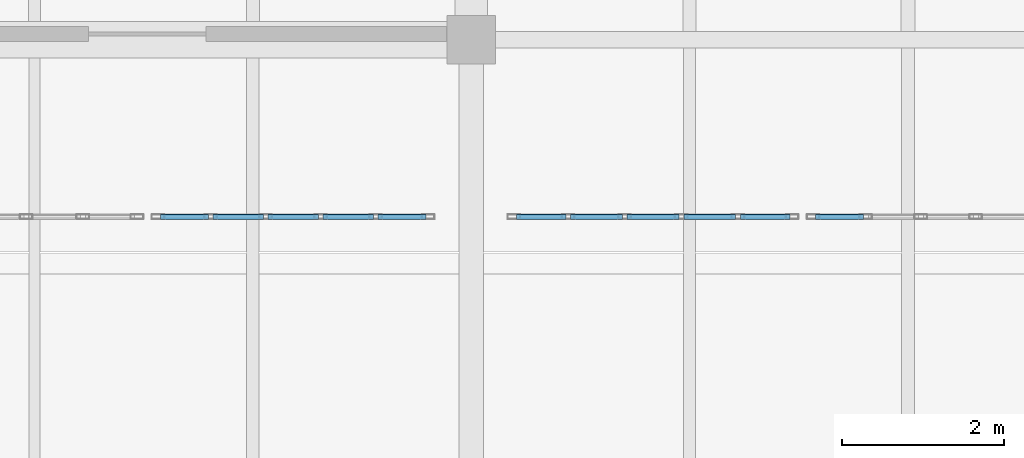
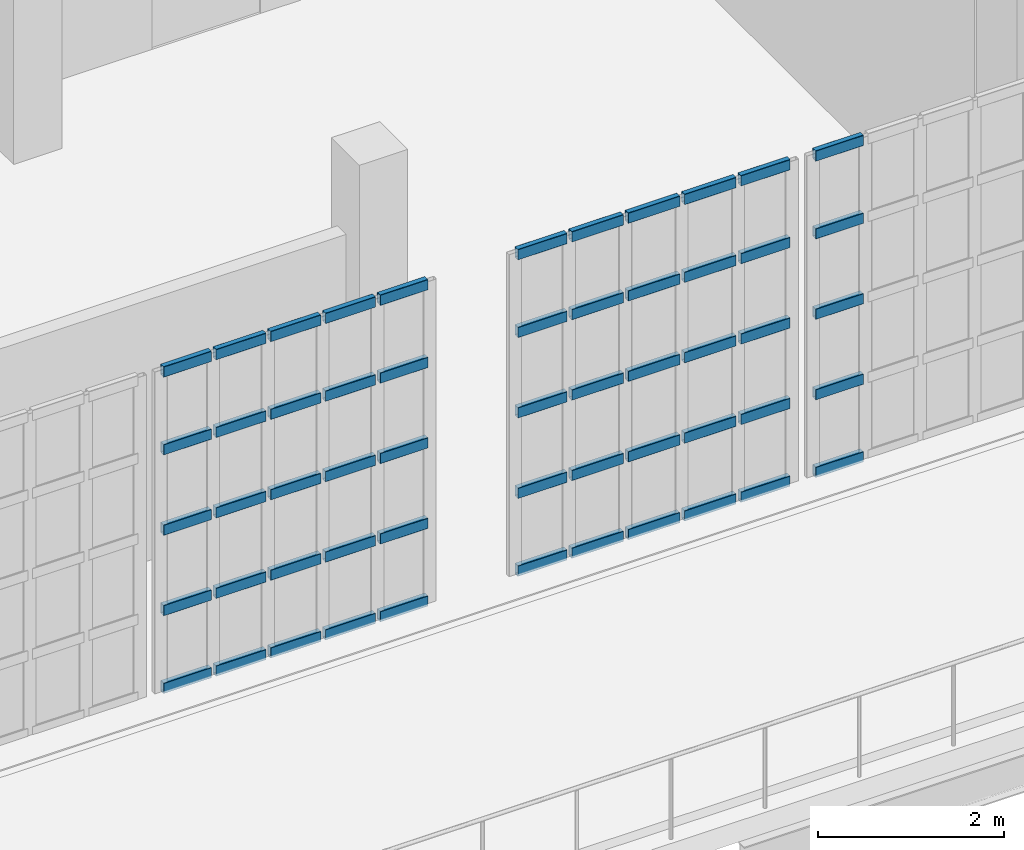
# One storey, part 32 of 56: 55 members, 3 elements without a shape of their own.
"""IFC4 building model written with IfcOpenShell, lengths in metres."""

from ifc_helpers import new_model, si_unit, direction, frame, origin, origin_2d, place, context, subcontext, project, spatial, hollow_rectangle, extrude, material, material_profile, profile_set, type_object, element, aggregate, save


model = new_model("IFC4")

# Units and contexts
model_context = context("Model", 3, precision=1e-05, world=origin(), true_north=direction((0.0, 1.0)))
body_context = subcontext(model_context, "Body", "Model", "MODEL_VIEW")
ifc_project = project(units=[si_unit("LENGTHUNIT", "METRE"), si_unit("AREAUNIT", "SQUARE_METRE"), si_unit("VOLUMEUNIT", "CUBIC_METRE"), si_unit("PLANEANGLEUNIT", "RADIAN"), si_unit("MASSUNIT", "GRAM", prefix="KILO")], contexts=[model_context])

# Site, building, storey
site_placement = place(None, origin())
site = spatial("IfcSite", under=ifc_project, at=site_placement, CompositionType="ELEMENT")
building_placement = place(site_placement, origin())
building = spatial("IfcBuilding", under=site, at=building_placement, Name="Kaelora Sail Theatre", CompositionType="ELEMENT")
storey_placement = place(building_placement, frame((0.0, 0.0, 14.699951171875)))
storey = spatial("IfcBuildingStorey", under=building, at=storey_placement, Name="L03", CompositionType="ELEMENT", Elevation=14.699951171875)

# Curtain wall, members
ifc_material_1 = material(Name="Anodised aluminium and solar-control low-E IGU", Category="aluminium")
curtain_wall_type = type_object("IfcCurtainWallType", Name="ARC-CW-CW-NWG", PredefinedType="NOTDEFINED", material=ifc_material_1)
curtain_wall_1_placement = place(storey_placement, origin())
curtain_wall_1 = element("IfcCurtainWall", 1, at=curtain_wall_1_placement, inside=storey, type_object=curtain_wall_type, Name="Glazed Foyer/Conservatory Curtain Wall NW4-S-L03-05", PredefinedType="NOTDEFINED")
ifc_material_2 = material(Name="Anodised aluminium 6063-T6", Category="aluminium")
ifc_material_profile = material_profile(ifc_material_2, hollow_rectangle(XDim=0.070068359375, YDim=0.139892578125, WallThickness=0.00390625, InnerFilletRadius=0.00390625, OuterFilletRadius=0.008056640625, at=origin_2d()), Name="ALU-TRAN 70x140x4")
ifc_profile_set = profile_set([ifc_material_profile], Name="Anodised aluminium 6063-T6")
member_type = type_object("IfcMemberType", Name="ARC-MEM-TR-140", PredefinedType="USERDEFINED", material=ifc_profile_set)
member_1_placement = place(storey_placement, frame((119.159912109375, 88.590087890625, 0.03515625), z_axis=(1.0, 0.0, 0.0), x_axis=(0.0, 1.0, 0.0)))
member_1 = element("IfcMember", 2, at=member_1_placement, type_object=member_type, Name="CW-NWG transom 1.1", ObjectType="TRANSOM", PredefinedType="USERDEFINED", context=body_context, shape_type="SweptSolid", body=[
    extrude(hollow_rectangle(XDim=0.070068359375, YDim=0.139892578125, WallThickness=0.00390625, InnerFilletRadius=0.00390625, OuterFilletRadius=0.008056640625, at=origin_2d()), origin(), (0.0, 0.0, 1.0), 0.590087890625),
])
member_2_placement = place(storey_placement, frame((119.159912109375, 88.590087890625, 1.05615234375), z_axis=(1.0, 0.0, 0.0), x_axis=(0.0, 1.0, 0.0)))
member_2 = element("IfcMember", 3, at=member_2_placement, type_object=member_type, Name="CW-NWG transom 1.2", ObjectType="TRANSOM", PredefinedType="USERDEFINED", context=body_context, shape_type="SweptSolid", body=[
    extrude(hollow_rectangle(XDim=0.070068359375, YDim=0.139892578125, WallThickness=0.00390625, InnerFilletRadius=0.00390625, OuterFilletRadius=0.008056640625, at=origin_2d()), origin(), (0.0, 0.0, 1.0), 0.590087890625),
])
member_3_placement = place(storey_placement, frame((119.159912109375, 88.590087890625, 2.112548828125), z_axis=(1.0, 0.0, 0.0), x_axis=(0.0, 1.0, 0.0)))
member_3 = element("IfcMember", 4, at=member_3_placement, type_object=member_type, Name="CW-NWG transom 1.3", ObjectType="TRANSOM", PredefinedType="USERDEFINED", context=body_context, shape_type="SweptSolid", body=[
    extrude(hollow_rectangle(XDim=0.070068359375, YDim=0.139892578125, WallThickness=0.00390625, InnerFilletRadius=0.00390625, OuterFilletRadius=0.008056640625, at=origin_2d()), origin(), (0.0, 0.0, 1.0), 0.590087890625),
])
member_4_placement = place(storey_placement, frame((119.159912109375, 88.590087890625, 3.168701171875), z_axis=(1.0, 0.0, 0.0), x_axis=(0.0, 1.0, 0.0)))
member_4 = element("IfcMember", 5, at=member_4_placement, type_object=member_type, Name="CW-NWG transom 1.4", ObjectType="TRANSOM", PredefinedType="USERDEFINED", context=body_context, shape_type="SweptSolid", body=[
    extrude(hollow_rectangle(XDim=0.070068359375, YDim=0.139892578125, WallThickness=0.00390625, InnerFilletRadius=0.00390625, OuterFilletRadius=0.008056640625, at=origin_2d()), origin(), (0.0, 0.0, 1.0), 0.590087890625),
])
member_5_placement = place(storey_placement, frame((119.159912109375, 88.590087890625, 4.18994140625), z_axis=(1.0, 0.0, 0.0), x_axis=(0.0, 1.0, 0.0)))
member_5 = element("IfcMember", 6, at=member_5_placement, type_object=member_type, Name="CW-NWG transom 1.5", ObjectType="TRANSOM", PredefinedType="USERDEFINED", context=body_context, shape_type="SweptSolid", body=[
    extrude(hollow_rectangle(XDim=0.070068359375, YDim=0.139892578125, WallThickness=0.00390625, InnerFilletRadius=0.00390625, OuterFilletRadius=0.008056640625, at=origin_2d()), origin(), (0.0, 0.0, 1.0), 0.590087890625),
])
member_6_placement = place(storey_placement, frame((119.81005859375, 88.590087890625, 0.03515625), z_axis=(1.0, 0.0, 0.0), x_axis=(0.0, 1.0, 0.0)))
member_6 = element("IfcMember", 7, at=member_6_placement, type_object=member_type, Name="CW-NWG transom 2.1", ObjectType="TRANSOM", PredefinedType="USERDEFINED", context=body_context, shape_type="SweptSolid", body=[
    extrude(hollow_rectangle(XDim=0.070068359375, YDim=0.139892578125, WallThickness=0.00390625, InnerFilletRadius=0.00390625, OuterFilletRadius=0.008056640625, at=origin_2d()), origin(), (0.0, 0.0, 1.0), 0.619873046875),
])
member_7_placement = place(storey_placement, frame((119.81005859375, 88.590087890625, 1.05615234375), z_axis=(1.0, 0.0, 0.0), x_axis=(0.0, 1.0, 0.0)))
member_7 = element("IfcMember", 8, at=member_7_placement, type_object=member_type, Name="CW-NWG transom 2.2", ObjectType="TRANSOM", PredefinedType="USERDEFINED", context=body_context, shape_type="SweptSolid", body=[
    extrude(hollow_rectangle(XDim=0.070068359375, YDim=0.139892578125, WallThickness=0.00390625, InnerFilletRadius=0.00390625, OuterFilletRadius=0.008056640625, at=origin_2d()), origin(), (0.0, 0.0, 1.0), 0.619873046875),
])
member_8_placement = place(storey_placement, frame((119.81005859375, 88.590087890625, 2.112548828125), z_axis=(1.0, 0.0, 0.0), x_axis=(0.0, 1.0, 0.0)))
member_8 = element("IfcMember", 9, at=member_8_placement, type_object=member_type, Name="CW-NWG transom 2.3", ObjectType="TRANSOM", PredefinedType="USERDEFINED", context=body_context, shape_type="SweptSolid", body=[
    extrude(hollow_rectangle(XDim=0.070068359375, YDim=0.139892578125, WallThickness=0.00390625, InnerFilletRadius=0.00390625, OuterFilletRadius=0.008056640625, at=origin_2d()), origin(), (0.0, 0.0, 1.0), 0.619873046875),
])
member_9_placement = place(storey_placement, frame((119.81005859375, 88.590087890625, 3.168701171875), z_axis=(1.0, 0.0, 0.0), x_axis=(0.0, 1.0, 0.0)))
member_9 = element("IfcMember", 10, at=member_9_placement, type_object=member_type, Name="CW-NWG transom 2.4", ObjectType="TRANSOM", PredefinedType="USERDEFINED", context=body_context, shape_type="SweptSolid", body=[
    extrude(hollow_rectangle(XDim=0.070068359375, YDim=0.139892578125, WallThickness=0.00390625, InnerFilletRadius=0.00390625, OuterFilletRadius=0.008056640625, at=origin_2d()), origin(), (0.0, 0.0, 1.0), 0.619873046875),
])
member_10_placement = place(storey_placement, frame((119.81005859375, 88.590087890625, 4.18994140625), z_axis=(1.0, 0.0, 0.0), x_axis=(0.0, 1.0, 0.0)))
member_10 = element("IfcMember", 11, at=member_10_placement, type_object=member_type, Name="CW-NWG transom 2.5", ObjectType="TRANSOM", PredefinedType="USERDEFINED", context=body_context, shape_type="SweptSolid", body=[
    extrude(hollow_rectangle(XDim=0.070068359375, YDim=0.139892578125, WallThickness=0.00390625, InnerFilletRadius=0.00390625, OuterFilletRadius=0.008056640625, at=origin_2d()), origin(), (0.0, 0.0, 1.0), 0.619873046875),
])
member_11_placement = place(storey_placement, frame((120.489990234375, 88.590087890625, 0.03515625), z_axis=(1.0, 0.0, 0.0), x_axis=(0.0, 1.0, 0.0)))
member_11 = element("IfcMember", 12, at=member_11_placement, type_object=member_type, Name="CW-NWG transom 3.1", ObjectType="TRANSOM", PredefinedType="USERDEFINED", context=body_context, shape_type="SweptSolid", body=[
    extrude(hollow_rectangle(XDim=0.070068359375, YDim=0.139892578125, WallThickness=0.00390625, InnerFilletRadius=0.00390625, OuterFilletRadius=0.008056640625, at=origin_2d()), origin(), (0.0, 0.0, 1.0), 0.6201171875),
])
member_12_placement = place(storey_placement, frame((120.489990234375, 88.590087890625, 1.05615234375), z_axis=(1.0, 0.0, 0.0), x_axis=(0.0, 1.0, 0.0)))
member_12 = element("IfcMember", 13, at=member_12_placement, type_object=member_type, Name="CW-NWG transom 3.2", ObjectType="TRANSOM", PredefinedType="USERDEFINED", context=body_context, shape_type="SweptSolid", body=[
    extrude(hollow_rectangle(XDim=0.070068359375, YDim=0.139892578125, WallThickness=0.00390625, InnerFilletRadius=0.00390625, OuterFilletRadius=0.008056640625, at=origin_2d()), origin(), (0.0, 0.0, 1.0), 0.6201171875),
])
member_13_placement = place(storey_placement, frame((120.489990234375, 88.590087890625, 2.112548828125), z_axis=(1.0, 0.0, 0.0), x_axis=(0.0, 1.0, 0.0)))
member_13 = element("IfcMember", 14, at=member_13_placement, type_object=member_type, Name="CW-NWG transom 3.3", ObjectType="TRANSOM", PredefinedType="USERDEFINED", context=body_context, shape_type="SweptSolid", body=[
    extrude(hollow_rectangle(XDim=0.070068359375, YDim=0.139892578125, WallThickness=0.00390625, InnerFilletRadius=0.00390625, OuterFilletRadius=0.008056640625, at=origin_2d()), origin(), (0.0, 0.0, 1.0), 0.6201171875),
])
member_14_placement = place(storey_placement, frame((120.489990234375, 88.590087890625, 3.168701171875), z_axis=(1.0, 0.0, 0.0), x_axis=(0.0, 1.0, 0.0)))
member_14 = element("IfcMember", 15, at=member_14_placement, type_object=member_type, Name="CW-NWG transom 3.4", ObjectType="TRANSOM", PredefinedType="USERDEFINED", context=body_context, shape_type="SweptSolid", body=[
    extrude(hollow_rectangle(XDim=0.070068359375, YDim=0.139892578125, WallThickness=0.00390625, InnerFilletRadius=0.00390625, OuterFilletRadius=0.008056640625, at=origin_2d()), origin(), (0.0, 0.0, 1.0), 0.6201171875),
])
member_15_placement = place(storey_placement, frame((120.489990234375, 88.590087890625, 4.18994140625), z_axis=(1.0, 0.0, 0.0), x_axis=(0.0, 1.0, 0.0)))
member_15 = element("IfcMember", 16, at=member_15_placement, type_object=member_type, Name="CW-NWG transom 3.5", ObjectType="TRANSOM", PredefinedType="USERDEFINED", context=body_context, shape_type="SweptSolid", body=[
    extrude(hollow_rectangle(XDim=0.070068359375, YDim=0.139892578125, WallThickness=0.00390625, InnerFilletRadius=0.00390625, OuterFilletRadius=0.008056640625, at=origin_2d()), origin(), (0.0, 0.0, 1.0), 0.6201171875),
])
member_16_placement = place(storey_placement, frame((121.169921875, 88.590087890625, 0.03515625), z_axis=(1.0, 0.0, 0.0), x_axis=(0.0, 1.0, 0.0)))
member_16 = element("IfcMember", 17, at=member_16_placement, type_object=member_type, Name="CW-NWG transom 4.1", ObjectType="TRANSOM", PredefinedType="USERDEFINED", context=body_context, shape_type="SweptSolid", body=[
    extrude(hollow_rectangle(XDim=0.070068359375, YDim=0.139892578125, WallThickness=0.00390625, InnerFilletRadius=0.00390625, OuterFilletRadius=0.008056640625, at=origin_2d()), origin(), (0.0, 0.0, 1.0), 0.6201171875),
])
member_17_placement = place(storey_placement, frame((121.169921875, 88.590087890625, 1.05615234375), z_axis=(1.0, 0.0, 0.0), x_axis=(0.0, 1.0, 0.0)))
member_17 = element("IfcMember", 18, at=member_17_placement, type_object=member_type, Name="CW-NWG transom 4.2", ObjectType="TRANSOM", PredefinedType="USERDEFINED", context=body_context, shape_type="SweptSolid", body=[
    extrude(hollow_rectangle(XDim=0.070068359375, YDim=0.139892578125, WallThickness=0.00390625, InnerFilletRadius=0.00390625, OuterFilletRadius=0.008056640625, at=origin_2d()), origin(), (0.0, 0.0, 1.0), 0.6201171875),
])
member_18_placement = place(storey_placement, frame((121.169921875, 88.590087890625, 2.112548828125), z_axis=(1.0, 0.0, 0.0), x_axis=(0.0, 1.0, 0.0)))
member_18 = element("IfcMember", 19, at=member_18_placement, type_object=member_type, Name="CW-NWG transom 4.3", ObjectType="TRANSOM", PredefinedType="USERDEFINED", context=body_context, shape_type="SweptSolid", body=[
    extrude(hollow_rectangle(XDim=0.070068359375, YDim=0.139892578125, WallThickness=0.00390625, InnerFilletRadius=0.00390625, OuterFilletRadius=0.008056640625, at=origin_2d()), origin(), (0.0, 0.0, 1.0), 0.6201171875),
])
member_19_placement = place(storey_placement, frame((121.169921875, 88.590087890625, 3.168701171875), z_axis=(1.0, 0.0, 0.0), x_axis=(0.0, 1.0, 0.0)))
member_19 = element("IfcMember", 20, at=member_19_placement, type_object=member_type, Name="CW-NWG transom 4.4", ObjectType="TRANSOM", PredefinedType="USERDEFINED", context=body_context, shape_type="SweptSolid", body=[
    extrude(hollow_rectangle(XDim=0.070068359375, YDim=0.139892578125, WallThickness=0.00390625, InnerFilletRadius=0.00390625, OuterFilletRadius=0.008056640625, at=origin_2d()), origin(), (0.0, 0.0, 1.0), 0.6201171875),
])
member_20_placement = place(storey_placement, frame((121.169921875, 88.590087890625, 4.18994140625), z_axis=(1.0, 0.0, 0.0), x_axis=(0.0, 1.0, 0.0)))
member_20 = element("IfcMember", 21, at=member_20_placement, type_object=member_type, Name="CW-NWG transom 4.5", ObjectType="TRANSOM", PredefinedType="USERDEFINED", context=body_context, shape_type="SweptSolid", body=[
    extrude(hollow_rectangle(XDim=0.070068359375, YDim=0.139892578125, WallThickness=0.00390625, InnerFilletRadius=0.00390625, OuterFilletRadius=0.008056640625, at=origin_2d()), origin(), (0.0, 0.0, 1.0), 0.6201171875),
])
member_21_placement = place(storey_placement, frame((121.85009765625, 88.590087890625, 0.03515625), z_axis=(1.0, 0.0, 0.0), x_axis=(0.0, 1.0, 0.0)))
member_21 = element("IfcMember", 22, at=member_21_placement, type_object=member_type, Name="CW-NWG transom 5.1", ObjectType="TRANSOM", PredefinedType="USERDEFINED", context=body_context, shape_type="SweptSolid", body=[
    extrude(hollow_rectangle(XDim=0.070068359375, YDim=0.139892578125, WallThickness=0.00390625, InnerFilletRadius=0.00390625, OuterFilletRadius=0.008056640625, at=origin_2d()), origin(), (0.0, 0.0, 1.0), 0.58984375),
])
member_22_placement = place(storey_placement, frame((121.85009765625, 88.590087890625, 1.05615234375), z_axis=(1.0, 0.0, 0.0), x_axis=(0.0, 1.0, 0.0)))
member_22 = element("IfcMember", 23, at=member_22_placement, type_object=member_type, Name="CW-NWG transom 5.2", ObjectType="TRANSOM", PredefinedType="USERDEFINED", context=body_context, shape_type="SweptSolid", body=[
    extrude(hollow_rectangle(XDim=0.070068359375, YDim=0.139892578125, WallThickness=0.00390625, InnerFilletRadius=0.00390625, OuterFilletRadius=0.008056640625, at=origin_2d()), origin(), (0.0, 0.0, 1.0), 0.58984375),
])
member_23_placement = place(storey_placement, frame((121.85009765625, 88.590087890625, 2.112548828125), z_axis=(1.0, 0.0, 0.0), x_axis=(0.0, 1.0, 0.0)))
member_23 = element("IfcMember", 24, at=member_23_placement, type_object=member_type, Name="CW-NWG transom 5.3", ObjectType="TRANSOM", PredefinedType="USERDEFINED", context=body_context, shape_type="SweptSolid", body=[
    extrude(hollow_rectangle(XDim=0.070068359375, YDim=0.139892578125, WallThickness=0.00390625, InnerFilletRadius=0.00390625, OuterFilletRadius=0.008056640625, at=origin_2d()), origin(), (0.0, 0.0, 1.0), 0.58984375),
])
member_24_placement = place(storey_placement, frame((121.85009765625, 88.590087890625, 3.168701171875), z_axis=(1.0, 0.0, 0.0), x_axis=(0.0, 1.0, 0.0)))
member_24 = element("IfcMember", 25, at=member_24_placement, type_object=member_type, Name="CW-NWG transom 5.4", ObjectType="TRANSOM", PredefinedType="USERDEFINED", context=body_context, shape_type="SweptSolid", body=[
    extrude(hollow_rectangle(XDim=0.070068359375, YDim=0.139892578125, WallThickness=0.00390625, InnerFilletRadius=0.00390625, OuterFilletRadius=0.008056640625, at=origin_2d()), origin(), (0.0, 0.0, 1.0), 0.58984375),
])
member_25_placement = place(storey_placement, frame((121.85009765625, 88.590087890625, 4.18994140625), z_axis=(1.0, 0.0, 0.0), x_axis=(0.0, 1.0, 0.0)))
member_25 = element("IfcMember", 26, at=member_25_placement, type_object=member_type, Name="CW-NWG transom 5.5", ObjectType="TRANSOM", PredefinedType="USERDEFINED", context=body_context, shape_type="SweptSolid", body=[
    extrude(hollow_rectangle(XDim=0.070068359375, YDim=0.139892578125, WallThickness=0.00390625, InnerFilletRadius=0.00390625, OuterFilletRadius=0.008056640625, at=origin_2d()), origin(), (0.0, 0.0, 1.0), 0.58984375),
])
aggregate(curtain_wall_1, [member_1, member_2, member_3, member_4, member_5, member_6, member_7, member_8, member_9, member_10, member_11, member_12, member_13, member_14, member_15, member_16, member_17, member_18, member_19, member_20, member_21, member_22, member_23, member_24, member_25])

curtain_wall_2_placement = place(storey_placement, origin())
curtain_wall_2 = element("IfcCurtainWall", 27, at=curtain_wall_2_placement, inside=storey, type_object=curtain_wall_type, Name="Glazed Foyer/Conservatory Curtain Wall NW4-S-L03-06", PredefinedType="NOTDEFINED")
member_26_placement = place(storey_placement, frame((123.56005859375, 88.590087890625, 0.03515625), z_axis=(1.0, 0.0, 0.0), x_axis=(0.0, 1.0, 0.0)))
member_26 = element("IfcMember", 28, at=member_26_placement, type_object=member_type, Name="CW-NWG transom 1.1", ObjectType="TRANSOM", PredefinedType="USERDEFINED", context=body_context, shape_type="SweptSolid", body=[
    extrude(hollow_rectangle(XDim=0.070068359375, YDim=0.139892578125, WallThickness=0.00390625, InnerFilletRadius=0.00390625, OuterFilletRadius=0.008056640625, at=origin_2d()), origin(), (0.0, 0.0, 1.0), 0.60986328125),
])
member_27_placement = place(storey_placement, frame((123.56005859375, 88.590087890625, 1.05615234375), z_axis=(1.0, 0.0, 0.0), x_axis=(0.0, 1.0, 0.0)))
member_27 = element("IfcMember", 29, at=member_27_placement, type_object=member_type, Name="CW-NWG transom 1.2", ObjectType="TRANSOM", PredefinedType="USERDEFINED", context=body_context, shape_type="SweptSolid", body=[
    extrude(hollow_rectangle(XDim=0.070068359375, YDim=0.139892578125, WallThickness=0.00390625, InnerFilletRadius=0.00390625, OuterFilletRadius=0.008056640625, at=origin_2d()), origin(), (0.0, 0.0, 1.0), 0.60986328125),
])
member_28_placement = place(storey_placement, frame((123.56005859375, 88.590087890625, 2.112548828125), z_axis=(1.0, 0.0, 0.0), x_axis=(0.0, 1.0, 0.0)))
member_28 = element("IfcMember", 30, at=member_28_placement, type_object=member_type, Name="CW-NWG transom 1.3", ObjectType="TRANSOM", PredefinedType="USERDEFINED", context=body_context, shape_type="SweptSolid", body=[
    extrude(hollow_rectangle(XDim=0.070068359375, YDim=0.139892578125, WallThickness=0.00390625, InnerFilletRadius=0.00390625, OuterFilletRadius=0.008056640625, at=origin_2d()), origin(), (0.0, 0.0, 1.0), 0.60986328125),
])
member_29_placement = place(storey_placement, frame((123.56005859375, 88.590087890625, 3.168701171875), z_axis=(1.0, 0.0, 0.0), x_axis=(0.0, 1.0, 0.0)))
member_29 = element("IfcMember", 31, at=member_29_placement, type_object=member_type, Name="CW-NWG transom 1.4", ObjectType="TRANSOM", PredefinedType="USERDEFINED", context=body_context, shape_type="SweptSolid", body=[
    extrude(hollow_rectangle(XDim=0.070068359375, YDim=0.139892578125, WallThickness=0.00390625, InnerFilletRadius=0.00390625, OuterFilletRadius=0.008056640625, at=origin_2d()), origin(), (0.0, 0.0, 1.0), 0.60986328125),
])
member_30_placement = place(storey_placement, frame((123.56005859375, 88.590087890625, 4.18994140625), z_axis=(1.0, 0.0, 0.0), x_axis=(0.0, 1.0, 0.0)))
member_30 = element("IfcMember", 32, at=member_30_placement, type_object=member_type, Name="CW-NWG transom 1.5", ObjectType="TRANSOM", PredefinedType="USERDEFINED", context=body_context, shape_type="SweptSolid", body=[
    extrude(hollow_rectangle(XDim=0.070068359375, YDim=0.139892578125, WallThickness=0.00390625, InnerFilletRadius=0.00390625, OuterFilletRadius=0.008056640625, at=origin_2d()), origin(), (0.0, 0.0, 1.0), 0.60986328125),
])
member_31_placement = place(storey_placement, frame((124.22998046875, 88.590087890625, 0.03515625), z_axis=(1.0, 0.0, 0.0), x_axis=(0.0, 1.0, 0.0)))
member_31 = element("IfcMember", 33, at=member_31_placement, type_object=member_type, Name="CW-NWG transom 2.1", ObjectType="TRANSOM", PredefinedType="USERDEFINED", context=body_context, shape_type="SweptSolid", body=[
    extrude(hollow_rectangle(XDim=0.070068359375, YDim=0.139892578125, WallThickness=0.00390625, InnerFilletRadius=0.00390625, OuterFilletRadius=0.008056640625, at=origin_2d()), origin(), (0.0, 0.0, 1.0), 0.64013671875),
])
member_32_placement = place(storey_placement, frame((124.22998046875, 88.590087890625, 1.05615234375), z_axis=(1.0, 0.0, 0.0), x_axis=(0.0, 1.0, 0.0)))
member_32 = element("IfcMember", 34, at=member_32_placement, type_object=member_type, Name="CW-NWG transom 2.2", ObjectType="TRANSOM", PredefinedType="USERDEFINED", context=body_context, shape_type="SweptSolid", body=[
    extrude(hollow_rectangle(XDim=0.070068359375, YDim=0.139892578125, WallThickness=0.00390625, InnerFilletRadius=0.00390625, OuterFilletRadius=0.008056640625, at=origin_2d()), origin(), (0.0, 0.0, 1.0), 0.64013671875),
])
member_33_placement = place(storey_placement, frame((124.22998046875, 88.590087890625, 2.112548828125), z_axis=(1.0, 0.0, 0.0), x_axis=(0.0, 1.0, 0.0)))
member_33 = element("IfcMember", 35, at=member_33_placement, type_object=member_type, Name="CW-NWG transom 2.3", ObjectType="TRANSOM", PredefinedType="USERDEFINED", context=body_context, shape_type="SweptSolid", body=[
    extrude(hollow_rectangle(XDim=0.070068359375, YDim=0.139892578125, WallThickness=0.00390625, InnerFilletRadius=0.00390625, OuterFilletRadius=0.008056640625, at=origin_2d()), origin(), (0.0, 0.0, 1.0), 0.64013671875),
])
member_34_placement = place(storey_placement, frame((124.22998046875, 88.590087890625, 3.168701171875), z_axis=(1.0, 0.0, 0.0), x_axis=(0.0, 1.0, 0.0)))
member_34 = element("IfcMember", 36, at=member_34_placement, type_object=member_type, Name="CW-NWG transom 2.4", ObjectType="TRANSOM", PredefinedType="USERDEFINED", context=body_context, shape_type="SweptSolid", body=[
    extrude(hollow_rectangle(XDim=0.070068359375, YDim=0.139892578125, WallThickness=0.00390625, InnerFilletRadius=0.00390625, OuterFilletRadius=0.008056640625, at=origin_2d()), origin(), (0.0, 0.0, 1.0), 0.64013671875),
])
member_35_placement = place(storey_placement, frame((124.22998046875, 88.590087890625, 4.18994140625), z_axis=(1.0, 0.0, 0.0), x_axis=(0.0, 1.0, 0.0)))
member_35 = element("IfcMember", 37, at=member_35_placement, type_object=member_type, Name="CW-NWG transom 2.5", ObjectType="TRANSOM", PredefinedType="USERDEFINED", context=body_context, shape_type="SweptSolid", body=[
    extrude(hollow_rectangle(XDim=0.070068359375, YDim=0.139892578125, WallThickness=0.00390625, InnerFilletRadius=0.00390625, OuterFilletRadius=0.008056640625, at=origin_2d()), origin(), (0.0, 0.0, 1.0), 0.64013671875),
])
member_36_placement = place(storey_placement, frame((124.929931640625, 88.590087890625, 0.03515625), z_axis=(1.0, 0.0, 0.0), x_axis=(0.0, 1.0, 0.0)))
member_36 = element("IfcMember", 38, at=member_36_placement, type_object=member_type, Name="CW-NWG transom 3.1", ObjectType="TRANSOM", PredefinedType="USERDEFINED", context=body_context, shape_type="SweptSolid", body=[
    extrude(hollow_rectangle(XDim=0.070068359375, YDim=0.139892578125, WallThickness=0.00390625, InnerFilletRadius=0.00390625, OuterFilletRadius=0.008056640625, at=origin_2d()), origin(), (0.0, 0.0, 1.0), 0.64013671875),
])
member_37_placement = place(storey_placement, frame((124.929931640625, 88.590087890625, 1.05615234375), z_axis=(1.0, 0.0, 0.0), x_axis=(0.0, 1.0, 0.0)))
member_37 = element("IfcMember", 39, at=member_37_placement, type_object=member_type, Name="CW-NWG transom 3.2", ObjectType="TRANSOM", PredefinedType="USERDEFINED", context=body_context, shape_type="SweptSolid", body=[
    extrude(hollow_rectangle(XDim=0.070068359375, YDim=0.139892578125, WallThickness=0.00390625, InnerFilletRadius=0.00390625, OuterFilletRadius=0.008056640625, at=origin_2d()), origin(), (0.0, 0.0, 1.0), 0.64013671875),
])
member_38_placement = place(storey_placement, frame((124.929931640625, 88.590087890625, 2.112548828125), z_axis=(1.0, 0.0, 0.0), x_axis=(0.0, 1.0, 0.0)))
member_38 = element("IfcMember", 40, at=member_38_placement, type_object=member_type, Name="CW-NWG transom 3.3", ObjectType="TRANSOM", PredefinedType="USERDEFINED", context=body_context, shape_type="SweptSolid", body=[
    extrude(hollow_rectangle(XDim=0.070068359375, YDim=0.139892578125, WallThickness=0.00390625, InnerFilletRadius=0.00390625, OuterFilletRadius=0.008056640625, at=origin_2d()), origin(), (0.0, 0.0, 1.0), 0.64013671875),
])
member_39_placement = place(storey_placement, frame((124.929931640625, 88.590087890625, 3.168701171875), z_axis=(1.0, 0.0, 0.0), x_axis=(0.0, 1.0, 0.0)))
member_39 = element("IfcMember", 41, at=member_39_placement, type_object=member_type, Name="CW-NWG transom 3.4", ObjectType="TRANSOM", PredefinedType="USERDEFINED", context=body_context, shape_type="SweptSolid", body=[
    extrude(hollow_rectangle(XDim=0.070068359375, YDim=0.139892578125, WallThickness=0.00390625, InnerFilletRadius=0.00390625, OuterFilletRadius=0.008056640625, at=origin_2d()), origin(), (0.0, 0.0, 1.0), 0.64013671875),
])
member_40_placement = place(storey_placement, frame((124.929931640625, 88.590087890625, 4.18994140625), z_axis=(1.0, 0.0, 0.0), x_axis=(0.0, 1.0, 0.0)))
member_40 = element("IfcMember", 42, at=member_40_placement, type_object=member_type, Name="CW-NWG transom 3.5", ObjectType="TRANSOM", PredefinedType="USERDEFINED", context=body_context, shape_type="SweptSolid", body=[
    extrude(hollow_rectangle(XDim=0.070068359375, YDim=0.139892578125, WallThickness=0.00390625, InnerFilletRadius=0.00390625, OuterFilletRadius=0.008056640625, at=origin_2d()), origin(), (0.0, 0.0, 1.0), 0.64013671875),
])
member_41_placement = place(storey_placement, frame((125.6298828125, 88.590087890625, 0.03515625), z_axis=(1.0, 0.0, 0.0), x_axis=(0.0, 1.0, 0.0)))
member_41 = element("IfcMember", 43, at=member_41_placement, type_object=member_type, Name="CW-NWG transom 4.1", ObjectType="TRANSOM", PredefinedType="USERDEFINED", context=body_context, shape_type="SweptSolid", body=[
    extrude(hollow_rectangle(XDim=0.070068359375, YDim=0.139892578125, WallThickness=0.00390625, InnerFilletRadius=0.00390625, OuterFilletRadius=0.008056640625, at=origin_2d()), origin(), (0.0, 0.0, 1.0), 0.64013671875),
])
member_42_placement = place(storey_placement, frame((125.6298828125, 88.590087890625, 1.05615234375), z_axis=(1.0, 0.0, 0.0), x_axis=(0.0, 1.0, 0.0)))
member_42 = element("IfcMember", 44, at=member_42_placement, type_object=member_type, Name="CW-NWG transom 4.2", ObjectType="TRANSOM", PredefinedType="USERDEFINED", context=body_context, shape_type="SweptSolid", body=[
    extrude(hollow_rectangle(XDim=0.070068359375, YDim=0.139892578125, WallThickness=0.00390625, InnerFilletRadius=0.00390625, OuterFilletRadius=0.008056640625, at=origin_2d()), origin(), (0.0, 0.0, 1.0), 0.64013671875),
])
member_43_placement = place(storey_placement, frame((125.6298828125, 88.590087890625, 2.112548828125), z_axis=(1.0, 0.0, 0.0), x_axis=(0.0, 1.0, 0.0)))
member_43 = element("IfcMember", 45, at=member_43_placement, type_object=member_type, Name="CW-NWG transom 4.3", ObjectType="TRANSOM", PredefinedType="USERDEFINED", context=body_context, shape_type="SweptSolid", body=[
    extrude(hollow_rectangle(XDim=0.070068359375, YDim=0.139892578125, WallThickness=0.00390625, InnerFilletRadius=0.00390625, OuterFilletRadius=0.008056640625, at=origin_2d()), origin(), (0.0, 0.0, 1.0), 0.64013671875),
])
member_44_placement = place(storey_placement, frame((125.6298828125, 88.590087890625, 3.168701171875), z_axis=(1.0, 0.0, 0.0), x_axis=(0.0, 1.0, 0.0)))
member_44 = element("IfcMember", 46, at=member_44_placement, type_object=member_type, Name="CW-NWG transom 4.4", ObjectType="TRANSOM", PredefinedType="USERDEFINED", context=body_context, shape_type="SweptSolid", body=[
    extrude(hollow_rectangle(XDim=0.070068359375, YDim=0.139892578125, WallThickness=0.00390625, InnerFilletRadius=0.00390625, OuterFilletRadius=0.008056640625, at=origin_2d()), origin(), (0.0, 0.0, 1.0), 0.64013671875),
])
member_45_placement = place(storey_placement, frame((125.6298828125, 88.590087890625, 4.18994140625), z_axis=(1.0, 0.0, 0.0), x_axis=(0.0, 1.0, 0.0)))
member_45 = element("IfcMember", 47, at=member_45_placement, type_object=member_type, Name="CW-NWG transom 4.5", ObjectType="TRANSOM", PredefinedType="USERDEFINED", context=body_context, shape_type="SweptSolid", body=[
    extrude(hollow_rectangle(XDim=0.070068359375, YDim=0.139892578125, WallThickness=0.00390625, InnerFilletRadius=0.00390625, OuterFilletRadius=0.008056640625, at=origin_2d()), origin(), (0.0, 0.0, 1.0), 0.64013671875),
])
member_46_placement = place(storey_placement, frame((126.330078125, 88.590087890625, 0.03515625), z_axis=(1.0, 0.0, 0.0), x_axis=(0.0, 1.0, 0.0)))
member_46 = element("IfcMember", 48, at=member_46_placement, type_object=member_type, Name="CW-NWG transom 5.1", ObjectType="TRANSOM", PredefinedType="USERDEFINED", context=body_context, shape_type="SweptSolid", body=[
    extrude(hollow_rectangle(XDim=0.070068359375, YDim=0.139892578125, WallThickness=0.00390625, InnerFilletRadius=0.00390625, OuterFilletRadius=0.008056640625, at=origin_2d()), origin(), (0.0, 0.0, 1.0), 0.60986328125),
])
member_47_placement = place(storey_placement, frame((126.330078125, 88.590087890625, 1.05615234375), z_axis=(1.0, 0.0, 0.0), x_axis=(0.0, 1.0, 0.0)))
member_47 = element("IfcMember", 49, at=member_47_placement, type_object=member_type, Name="CW-NWG transom 5.2", ObjectType="TRANSOM", PredefinedType="USERDEFINED", context=body_context, shape_type="SweptSolid", body=[
    extrude(hollow_rectangle(XDim=0.070068359375, YDim=0.139892578125, WallThickness=0.00390625, InnerFilletRadius=0.00390625, OuterFilletRadius=0.008056640625, at=origin_2d()), origin(), (0.0, 0.0, 1.0), 0.60986328125),
])
member_48_placement = place(storey_placement, frame((126.330078125, 88.590087890625, 2.112548828125), z_axis=(1.0, 0.0, 0.0), x_axis=(0.0, 1.0, 0.0)))
member_48 = element("IfcMember", 50, at=member_48_placement, type_object=member_type, Name="CW-NWG transom 5.3", ObjectType="TRANSOM", PredefinedType="USERDEFINED", context=body_context, shape_type="SweptSolid", body=[
    extrude(hollow_rectangle(XDim=0.070068359375, YDim=0.139892578125, WallThickness=0.00390625, InnerFilletRadius=0.00390625, OuterFilletRadius=0.008056640625, at=origin_2d()), origin(), (0.0, 0.0, 1.0), 0.60986328125),
])
member_49_placement = place(storey_placement, frame((126.330078125, 88.590087890625, 3.168701171875), z_axis=(1.0, 0.0, 0.0), x_axis=(0.0, 1.0, 0.0)))
member_49 = element("IfcMember", 51, at=member_49_placement, type_object=member_type, Name="CW-NWG transom 5.4", ObjectType="TRANSOM", PredefinedType="USERDEFINED", context=body_context, shape_type="SweptSolid", body=[
    extrude(hollow_rectangle(XDim=0.070068359375, YDim=0.139892578125, WallThickness=0.00390625, InnerFilletRadius=0.00390625, OuterFilletRadius=0.008056640625, at=origin_2d()), origin(), (0.0, 0.0, 1.0), 0.60986328125),
])
member_50_placement = place(storey_placement, frame((126.330078125, 88.590087890625, 4.18994140625), z_axis=(1.0, 0.0, 0.0), x_axis=(0.0, 1.0, 0.0)))
member_50 = element("IfcMember", 52, at=member_50_placement, type_object=member_type, Name="CW-NWG transom 5.5", ObjectType="TRANSOM", PredefinedType="USERDEFINED", context=body_context, shape_type="SweptSolid", body=[
    extrude(hollow_rectangle(XDim=0.070068359375, YDim=0.139892578125, WallThickness=0.00390625, InnerFilletRadius=0.00390625, OuterFilletRadius=0.008056640625, at=origin_2d()), origin(), (0.0, 0.0, 1.0), 0.60986328125),
])
aggregate(curtain_wall_2, [member_26, member_27, member_28, member_29, member_30, member_31, member_32, member_33, member_34, member_35, member_36, member_37, member_38, member_39, member_40, member_41, member_42, member_43, member_44, member_45, member_46, member_47, member_48, member_49, member_50])

curtain_wall_3_placement = place(storey_placement, origin())
curtain_wall_3 = element("IfcCurtainWall", 53, at=curtain_wall_3_placement, inside=storey, type_object=curtain_wall_type, Name="Glazed Foyer/Conservatory Curtain Wall NW4-S-L03-07", PredefinedType="NOTDEFINED")
member_51_placement = place(storey_placement, frame((127.260009765625, 88.590087890625, 0.03515625), z_axis=(1.0, 0.0, 0.0), x_axis=(0.0, 1.0, 0.0)))
member_51 = element("IfcMember", 54, at=member_51_placement, type_object=member_type, Name="CW-NWG transom 1.1", ObjectType="TRANSOM", PredefinedType="USERDEFINED", context=body_context, shape_type="SweptSolid", body=[
    extrude(hollow_rectangle(XDim=0.070068359375, YDim=0.139892578125, WallThickness=0.00390625, InnerFilletRadius=0.00390625, OuterFilletRadius=0.008056640625, at=origin_2d()), origin(), (0.0, 0.0, 1.0), 0.590087890625),
])
member_52_placement = place(storey_placement, frame((127.260009765625, 88.590087890625, 1.05615234375), z_axis=(1.0, 0.0, 0.0), x_axis=(0.0, 1.0, 0.0)))
member_52 = element("IfcMember", 55, at=member_52_placement, type_object=member_type, Name="CW-NWG transom 1.2", ObjectType="TRANSOM", PredefinedType="USERDEFINED", context=body_context, shape_type="SweptSolid", body=[
    extrude(hollow_rectangle(XDim=0.070068359375, YDim=0.139892578125, WallThickness=0.00390625, InnerFilletRadius=0.00390625, OuterFilletRadius=0.008056640625, at=origin_2d()), origin(), (0.0, 0.0, 1.0), 0.590087890625),
])
member_53_placement = place(storey_placement, frame((127.260009765625, 88.590087890625, 2.112548828125), z_axis=(1.0, 0.0, 0.0), x_axis=(0.0, 1.0, 0.0)))
member_53 = element("IfcMember", 56, at=member_53_placement, type_object=member_type, Name="CW-NWG transom 1.3", ObjectType="TRANSOM", PredefinedType="USERDEFINED", context=body_context, shape_type="SweptSolid", body=[
    extrude(hollow_rectangle(XDim=0.070068359375, YDim=0.139892578125, WallThickness=0.00390625, InnerFilletRadius=0.00390625, OuterFilletRadius=0.008056640625, at=origin_2d()), origin(), (0.0, 0.0, 1.0), 0.590087890625),
])
member_54_placement = place(storey_placement, frame((127.260009765625, 88.590087890625, 3.168701171875), z_axis=(1.0, 0.0, 0.0), x_axis=(0.0, 1.0, 0.0)))
member_54 = element("IfcMember", 57, at=member_54_placement, type_object=member_type, Name="CW-NWG transom 1.4", ObjectType="TRANSOM", PredefinedType="USERDEFINED", context=body_context, shape_type="SweptSolid", body=[
    extrude(hollow_rectangle(XDim=0.070068359375, YDim=0.139892578125, WallThickness=0.00390625, InnerFilletRadius=0.00390625, OuterFilletRadius=0.008056640625, at=origin_2d()), origin(), (0.0, 0.0, 1.0), 0.590087890625),
])
member_55_placement = place(storey_placement, frame((127.260009765625, 88.590087890625, 4.18994140625), z_axis=(1.0, 0.0, 0.0), x_axis=(0.0, 1.0, 0.0)))
member_55 = element("IfcMember", 58, at=member_55_placement, type_object=member_type, Name="CW-NWG transom 1.5", ObjectType="TRANSOM", PredefinedType="USERDEFINED", context=body_context, shape_type="SweptSolid", body=[
    extrude(hollow_rectangle(XDim=0.070068359375, YDim=0.139892578125, WallThickness=0.00390625, InnerFilletRadius=0.00390625, OuterFilletRadius=0.008056640625, at=origin_2d()), origin(), (0.0, 0.0, 1.0), 0.590087890625),
])
aggregate(curtain_wall_3, [member_51, member_52, member_53, member_54, member_55])

save(model, "model.ifc")
